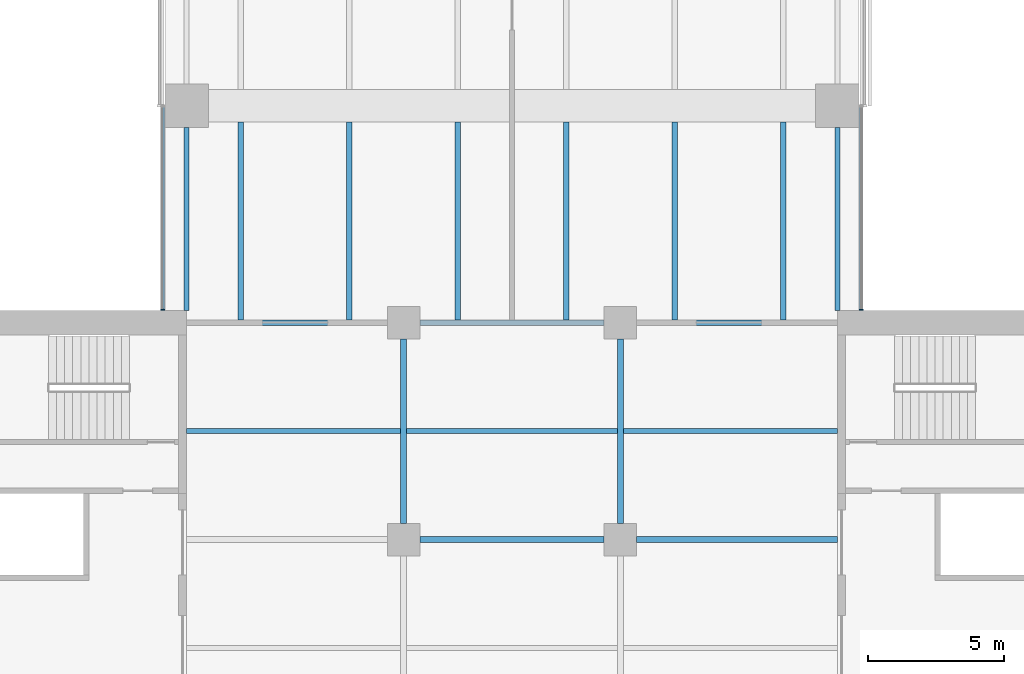
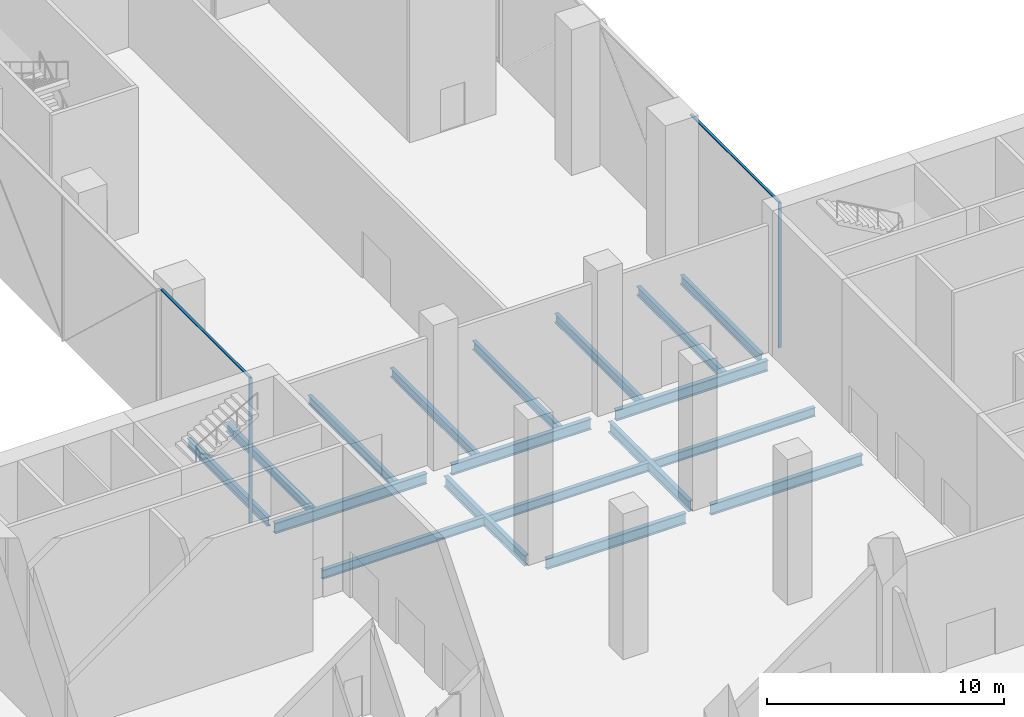
# One storey, part 6 of 25: 18 beams, 4 members, 2 elements without a shape of their own.
"""IFC4 building model written with IfcOpenShell, lengths in metres."""

from ifc_helpers import new_model, si_unit, direction, frame, origin, origin_2d, place, context, subcontext, project, spatial, rectangle, i_section, extrude, material, material_profile, profile_set, type_object, element, aggregate, save


model = new_model("IFC4")

# Units and contexts
model_context = context("Model", 3, precision=1e-05, world=origin(), true_north=direction((0.0, 1.0)))
body_context = subcontext(model_context, "Body", "Model", "MODEL_VIEW")
ifc_project = project(units=[si_unit("LENGTHUNIT", "METRE"), si_unit("AREAUNIT", "SQUARE_METRE"), si_unit("VOLUMEUNIT", "CUBIC_METRE"), si_unit("PLANEANGLEUNIT", "RADIAN"), si_unit("MASSUNIT", "GRAM", prefix="KILO")], contexts=[model_context])

# Site, building, storey
site_placement = place(None, origin())
site = spatial("IfcSite", under=ifc_project, at=site_placement, CompositionType="ELEMENT")
building_placement = place(site_placement, origin())
building = spatial("IfcBuilding", under=site, at=building_placement, Name="Crosswind Convention Tower", CompositionType="ELEMENT")
storey_placement = place(building_placement, frame((0.0, 0.0, 17.5)))
storey = spatial("IfcBuildingStorey", under=building, at=storey_placement, Name="L02", CompositionType="ELEMENT", Elevation=17.5)

# Beams
ifc_material_1 = material(Name="Steel S355", Category="steel")
ifc_material_profile_1 = material_profile(ifc_material_1, i_section(OverallWidth=0.19287109375, OverallDepth=0.467529296875, WebThickness=0.011474609375, FlangeThickness=0.01953125, FilletRadius=0.01025390625, at=origin_2d()), Name="UB 457x191x98")
ifc_profile_set_1 = profile_set([ifc_material_profile_1], Name="Steel S355")
beam_type_1 = type_object("IfcBeamType", Name="Edge beam UB 457x191x98", PredefinedType="SPANDREL", material=ifc_profile_set_1)
for number, where, z_axis, x_axis, name in (
    (1, (113.0, 112.449951171875, -0.6337890625), (0.0, 1.0, 0.0), (-1.0, 0.0, 0.0), "B20 L02 edge beam 9"),
    (2, (137.0, 112.449951171875, -0.6337890625), (0.0, 1.0, 0.0), (-1.0, 0.0, 0.0), "B20 L02 edge beam 17"),
):
    element("IfcBeam", number, at=place(storey_placement, frame(where, z_axis=z_axis, x_axis=x_axis)), inside=storey, type_object=beam_type_1, Name=name, PredefinedType="SPANDREL", context=body_context, shape_type="SweptSolid", body=[
        extrude(i_section(OverallWidth=0.19287109375, OverallDepth=0.467529296875, WebThickness=0.011474609375, FlangeThickness=0.01953125, FilletRadius=0.01025390625, at=origin_2d()), origin(), (0.0, 0.0, 1.0), 6.75),
    ])
ifc_material_profile_2 = material_profile(ifc_material_1, i_section(OverallWidth=0.2119140625, OverallDepth=0.544677734375, WebThickness=0.0126953125, FlangeThickness=0.021240234375, FilletRadius=0.0126953125, at=origin_2d()), Name="UB 533x210x122")
ifc_profile_set_2 = profile_set([ifc_material_profile_2], Name="Steel S355")
beam_type_2 = type_object("IfcBeamType", Name="Girder UB 533x210x122", PredefinedType="BEAM", material=ifc_profile_set_2)
for number, where, z_axis, x_axis, name in (
    (3, (121.0, 104.60009765625, -0.67236328125), (0.0, 1.0, 0.0), (-1.0, 0.0, 0.0), "B6 L02 girder 3"),
    (4, (121.60009765625, 104.0, -0.67236328125), (1.0, 0.0, 0.0), (0.0, 1.0, 0.0), "B6 L02 girder 6"),
    (5, (121.60009765625, 112.0, -0.67236328125), (1.0, 0.0, 0.0), (0.0, 1.0, 0.0), "B6 L02 girder 7"),
    (6, (129.0, 104.60009765625, -0.67236328125), (0.0, 1.0, 0.0), (-1.0, 0.0, 0.0), "B6 L02 girder 10"),
):
    element("IfcBeam", number, at=place(storey_placement, frame(where, z_axis=z_axis, x_axis=x_axis)), inside=storey, type_object=beam_type_2, Name=name, PredefinedType="BEAM", context=body_context, shape_type="SweptSolid", body=[
        extrude(i_section(OverallWidth=0.2119140625, OverallDepth=0.544677734375, WebThickness=0.0126953125, FlangeThickness=0.021240234375, FilletRadius=0.0126953125, at=origin_2d()), origin(), (0.0, 0.0, 1.0), 6.7998046875),
    ])
ifc_material_profile_3 = material_profile(ifc_material_1, i_section(OverallWidth=0.214111328125, OverallDepth=0.549072265625, WebThickness=0.0146484375, FlangeThickness=0.023681640625, FilletRadius=0.0126953125, at=origin_2d()), Name="UB 533x210x138")
ifc_profile_set_3 = profile_set([ifc_material_profile_3], Name="Steel S355")
beam_type_3 = type_object("IfcBeamType", Name="Girder at core wall UB 533x210x138", PredefinedType="BEAM", material=ifc_profile_set_3)
for number, where, z_axis, x_axis, name in (
    (7, (113.0, 112.0, -0.674560546875), (1.0, 0.0, 0.0), (0.0, 1.0, 0.0), "B27 L02 girder at core wall 4"),
    (8, (129.60009765625, 104.0, -0.674560546875), (1.0, 0.0, 0.0), (0.0, 1.0, 0.0), "B27 L02 girder at core wall 7"),
    (9, (129.60009765625, 112.0, -0.674560546875), (1.0, 0.0, 0.0), (0.0, 1.0, 0.0), "B27 L02 girder at core wall 8"),
):
    element("IfcBeam", number, at=place(storey_placement, frame(where, z_axis=z_axis, x_axis=x_axis)), inside=storey, type_object=beam_type_3, Name=name, PredefinedType="BEAM", context=body_context, shape_type="SweptSolid", body=[
        extrude(i_section(OverallWidth=0.214111328125, OverallDepth=0.549072265625, WebThickness=0.0146484375, FlangeThickness=0.023681640625, FilletRadius=0.0126953125, at=origin_2d()), origin(), (0.0, 0.0, 1.0), 7.39990234375),
    ])

# Curtain wall, member
ifc_material_2 = material(Name="Aluminium unitised curtain wall", Category="aluminium")
curtain_wall_type = type_object("IfcCurtainWallType", Name="CORE END SLOT WALL 160", PredefinedType="USERDEFINED", material=ifc_material_2)
curtain_wall_1_placement = place(storey_placement, origin())
curtain_wall_1 = element("IfcCurtainWall", 10, at=curtain_wall_1_placement, inside=storey, type_object=curtain_wall_type, Name="CW6 L02 N-E.1-1 slot", ObjectType="UNITISED", PredefinedType="USERDEFINED")
ifc_material_3 = material(Name="Aluminium mullion", Category="aluminium")
ifc_material_profile_4 = material_profile(ifc_material_3, rectangle(XDim=0.159912109375, YDim=0.050048828125, at=origin_2d()), Name="AL 160X50")
ifc_profile_set_4 = profile_set([ifc_material_profile_4], Name="Aluminium mullion")
member_type_1 = type_object("IfcMemberType", Name="MULLION 50X160", PredefinedType="MULLION", material=ifc_profile_set_4)
member_1_placement = place(storey_placement, frame((137.8798828125, 112.47509765625, -0.39990234375), z_axis=(0.0, 0.0, 1.0), x_axis=(1.0, 0.0, 0.0)))
member_1 = element("IfcMember", 11, at=member_1_placement, type_object=member_type_1, Name="CW6 mullion 1", PredefinedType="MULLION", context=body_context, shape_type="SweptSolid", body=[
    extrude(rectangle(XDim=0.159912109375, YDim=0.050048828125, at=origin_2d()), origin(), (0.0, 0.0, 1.0), 7.449951171875),
])

curtain_wall_2_placement = place(storey_placement, origin())
curtain_wall_2 = element("IfcCurtainWall", 12, at=curtain_wall_2_placement, inside=storey, type_object=curtain_wall_type, Name="CW6 L02 N-W.1-4 slot", ObjectType="UNITISED", PredefinedType="USERDEFINED")
member_2_placement = place(storey_placement, frame((112.1201171875, 112.47509765625, -0.39990234375), z_axis=(0.0, 0.0, 1.0), x_axis=(-1.0, 0.0, 0.0)))
member_2 = element("IfcMember", 13, at=member_2_placement, type_object=member_type_1, Name="CW6 mullion 2", PredefinedType="MULLION", context=body_context, shape_type="SweptSolid", body=[
    extrude(rectangle(XDim=0.159912109375, YDim=0.050048828125, at=origin_2d()), origin(), (0.0, 0.0, 1.0), 7.449951171875),
])

# Beams
ifc_material_profile_5 = material_profile(ifc_material_1, i_section(OverallWidth=0.19140625, OverallDepth=0.460205078125, WebThickness=0.010009765625, FlangeThickness=0.01611328125, FilletRadius=0.01025390625, at=origin_2d()), Name="UB 457x191x82")
ifc_profile_set_5 = profile_set([ifc_material_profile_5], Name="Steel S355")
beam_type_4 = type_object("IfcBeamType", Name="Secondary beam UB 457x191x82", PredefinedType="JOIST", material=ifc_profile_set_5)
beam_1_placement = place(storey_placement, frame((113.0, 108.0, -0.630126953125), z_axis=(1.0, 0.0, 0.0), x_axis=(0.0, 1.0, 0.0)))
element("IfcBeam", 14, at=beam_1_placement, inside=storey, type_object=beam_type_4, Name="B13 L02 secondary beam 13", PredefinedType="JOIST", context=body_context, shape_type="SweptSolid", body=[
    extrude(i_section(OverallWidth=0.19140625, OverallDepth=0.460205078125, WebThickness=0.010009765625, FlangeThickness=0.01611328125, FilletRadius=0.01025390625, at=origin_2d()), origin(), (0.0, 0.0, 1.0), 7.89404296875),
])
for number, where, z_axis, x_axis, name in (
    (15, (115.0, 112.10693359375, -0.630126953125), (0.0, 1.0, 0.0), (-1.0, 0.0, 0.0), "B13 L02 secondary beam 17"),
    (16, (119.0, 112.10693359375, -0.630126953125), (0.0, 1.0, 0.0), (-1.0, 0.0, 0.0), "B13 L02 secondary beam 24"),
):
    element("IfcBeam", number, at=place(storey_placement, frame(where, z_axis=z_axis, x_axis=x_axis)), inside=storey, type_object=beam_type_4, Name=name, PredefinedType="JOIST", context=body_context, shape_type="SweptSolid", body=[
        extrude(i_section(OverallWidth=0.19140625, OverallDepth=0.460205078125, WebThickness=0.010009765625, FlangeThickness=0.01611328125, FilletRadius=0.01025390625, at=origin_2d()), origin(), (0.0, 0.0, 1.0), 7.29296875),
    ])
beam_2_placement = place(storey_placement, frame((121.10595703125, 108.0, -0.630126953125), z_axis=(1.0, 0.0, 0.0), x_axis=(0.0, 1.0, 0.0)))
element("IfcBeam", 17, at=beam_2_placement, inside=storey, type_object=beam_type_4, Name="B13 L02 secondary beam 30", PredefinedType="JOIST", context=body_context, shape_type="SweptSolid", body=[
    extrude(i_section(OverallWidth=0.19140625, OverallDepth=0.460205078125, WebThickness=0.010009765625, FlangeThickness=0.01611328125, FilletRadius=0.01025390625, at=origin_2d()), origin(), (0.0, 0.0, 1.0), 7.7880859375),
])
for number, where, z_axis, x_axis, name in (
    (18, (123.0, 112.10595703125, -0.630126953125), (0.0, 1.0, 0.0), (-1.0, 0.0, 0.0), "B13 L02 secondary beam 35"),
    (19, (127.0, 112.10595703125, -0.630126953125), (0.0, 1.0, 0.0), (-1.0, 0.0, 0.0), "B13 L02 secondary beam 43"),
):
    element("IfcBeam", number, at=place(storey_placement, frame(where, z_axis=z_axis, x_axis=x_axis)), inside=storey, type_object=beam_type_4, Name=name, PredefinedType="JOIST", context=body_context, shape_type="SweptSolid", body=[
        extrude(i_section(OverallWidth=0.19140625, OverallDepth=0.460205078125, WebThickness=0.010009765625, FlangeThickness=0.01611328125, FilletRadius=0.01025390625, at=origin_2d()), origin(), (0.0, 0.0, 1.0), 7.2939453125),
    ])
beam_3_placement = place(storey_placement, frame((129.10595703125, 108.0, -0.630126953125), z_axis=(1.0, 0.0, 0.0), x_axis=(0.0, 1.0, 0.0)))
element("IfcBeam", 20, at=beam_3_placement, inside=storey, type_object=beam_type_4, Name="B13 L02 secondary beam 49", PredefinedType="JOIST", context=body_context, shape_type="SweptSolid", body=[
    extrude(i_section(OverallWidth=0.19140625, OverallDepth=0.460205078125, WebThickness=0.010009765625, FlangeThickness=0.01611328125, FilletRadius=0.01025390625, at=origin_2d()), origin(), (0.0, 0.0, 1.0), 7.89404296875),
])
for number, where, z_axis, x_axis, name in (
    (21, (131.0, 112.10693359375, -0.630126953125), (0.0, 1.0, 0.0), (-1.0, 0.0, 0.0), "B13 L02 secondary beam 54"),
    (22, (135.0, 112.10693359375, -0.630126953125), (0.0, 1.0, 0.0), (-1.0, 0.0, 0.0), "B13 L02 secondary beam 61"),
):
    element("IfcBeam", number, at=place(storey_placement, frame(where, z_axis=z_axis, x_axis=x_axis)), inside=storey, type_object=beam_type_4, Name=name, PredefinedType="JOIST", context=body_context, shape_type="SweptSolid", body=[
        extrude(i_section(OverallWidth=0.19140625, OverallDepth=0.460205078125, WebThickness=0.010009765625, FlangeThickness=0.01611328125, FilletRadius=0.01025390625, at=origin_2d()), origin(), (0.0, 0.0, 1.0), 7.29296875),
    ])

# Member
ifc_material_4 = material(Name="Aluminium transom", Category="aluminium")
ifc_material_profile_6 = material_profile(ifc_material_4, rectangle(XDim=0.1201171875, YDim=0.050048828125, at=origin_2d()), Name="AL 120X50")
ifc_profile_set_6 = profile_set([ifc_material_profile_6], Name="Aluminium transom")
member_type_2 = type_object("IfcMemberType", Name="TRANSOM 50X120", PredefinedType="USERDEFINED", material=ifc_profile_set_6)
member_3_placement = place(storey_placement, frame((137.8798828125, 112.5, 7.074951171875), z_axis=(0.0, 1.0, 0.0), x_axis=(-1.0, 0.0, 0.0)))
member_3 = element("IfcMember", 23, at=member_3_placement, type_object=member_type_2, Name="CW6 transom", ObjectType="TRANSOM", PredefinedType="USERDEFINED", context=body_context, shape_type="SweptSolid", body=[
    extrude(rectangle(XDim=0.1201171875, YDim=0.050048828125, at=origin_2d()), origin(), (0.0, 0.0, 1.0), 7.449951171875),
])

aggregate(curtain_wall_1, [member_1, member_3])

member_4_placement = place(storey_placement, frame((112.1201171875, 119.949951171875, 7.074951171875), z_axis=(0.0, -1.0, 0.0), x_axis=(1.0, 0.0, 0.0)))
member_4 = element("IfcMember", 24, at=member_4_placement, type_object=member_type_2, Name="CW6 transom", ObjectType="TRANSOM", PredefinedType="USERDEFINED", context=body_context, shape_type="SweptSolid", body=[
    extrude(rectangle(XDim=0.1201171875, YDim=0.050048828125, at=origin_2d()), origin(), (0.0, 0.0, 1.0), 7.449951171875),
])

aggregate(curtain_wall_2, [member_2, member_4])

save(model, "model.ifc")
